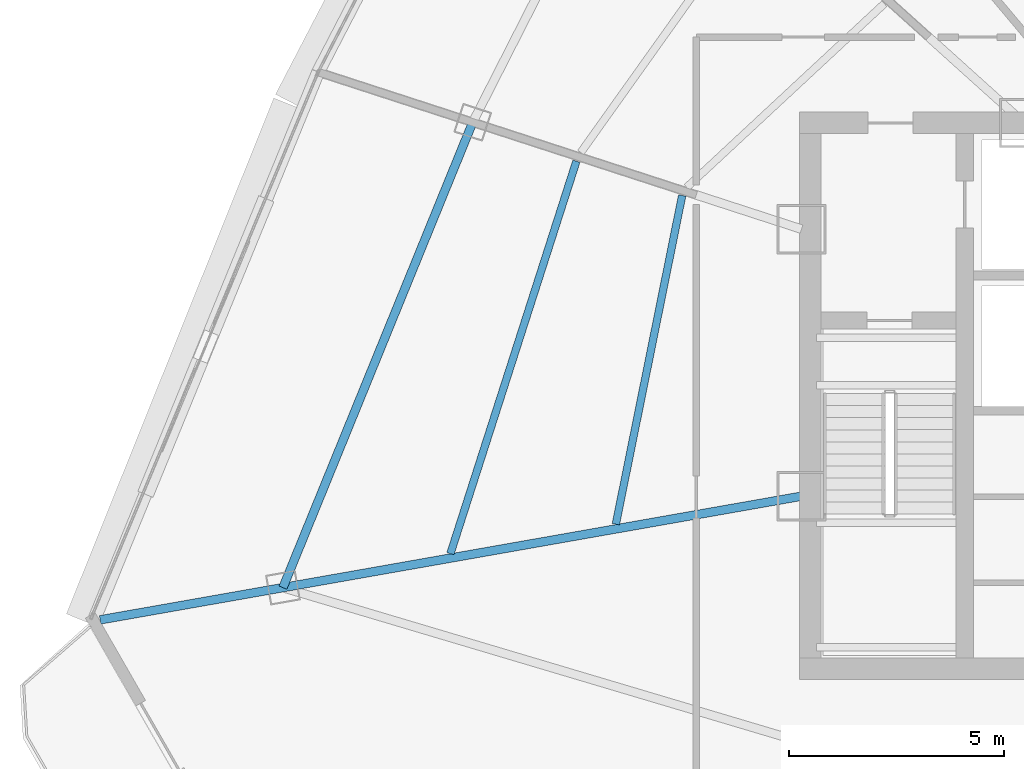
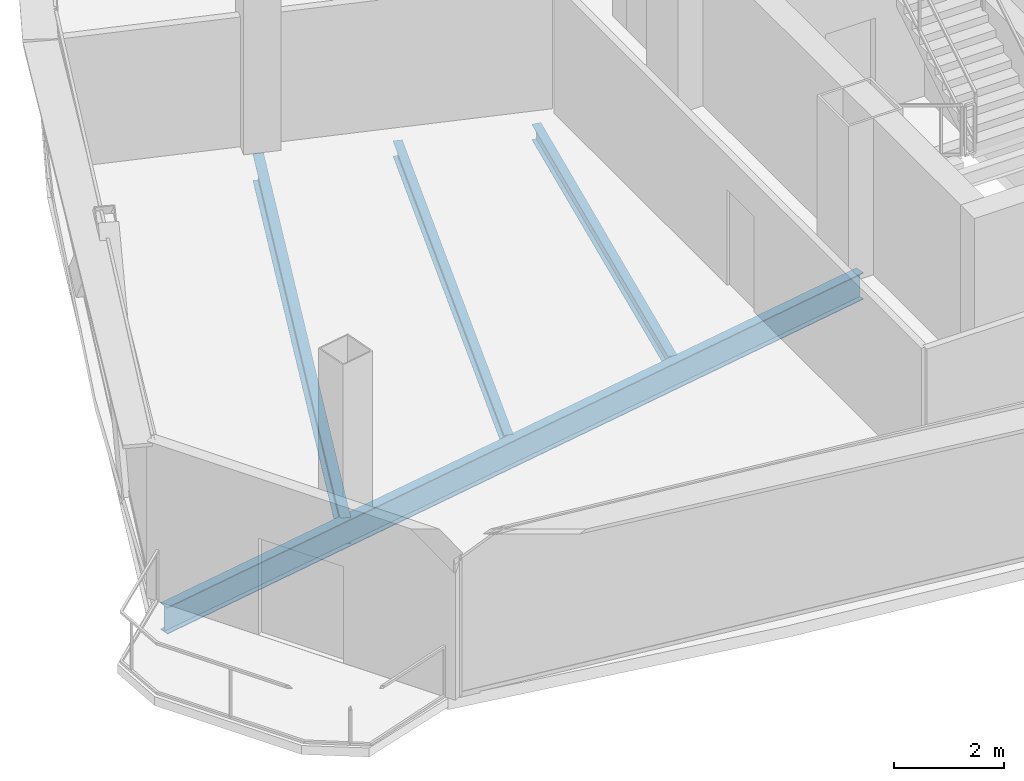
# One storey, part 5 of 33: 4 beams.
"""IFC4 building model written with IfcOpenShell, lengths in metres."""

from ifc_helpers import new_model, si_unit, direction, frame, origin, origin_2d, place, context, subcontext, project, spatial, i_section, extrude, source, transform, mapped, material, material_profile, profile_set, type_object, element, save


model = new_model("IFC4")

# Units and contexts
model_context = context("Model", 3, precision=1e-05, world=origin(), true_north=direction((0.0, 1.0)))
body_context = subcontext(model_context, "Body", "Model", "MODEL_VIEW")
ifc_project = project(units=[si_unit("LENGTHUNIT", "METRE"), si_unit("AREAUNIT", "SQUARE_METRE"), si_unit("VOLUMEUNIT", "CUBIC_METRE"), si_unit("PLANEANGLEUNIT", "RADIAN"), si_unit("MASSUNIT", "GRAM", prefix="KILO"), si_unit("THERMODYNAMICTEMPERATUREUNIT", "KELVIN"), si_unit("POWERUNIT", "WATT")], contexts=[model_context])

# Site, building, storey
site_placement = place(None, origin())
site = spatial("IfcSite", under=ifc_project, at=site_placement, CompositionType="ELEMENT")
building_placement = place(site_placement, origin())
building = spatial("IfcBuilding", under=site, at=building_placement, Name="Yunzhuo Pagoda Commons", CompositionType="ELEMENT")
storey_placement = place(building_placement, frame((0.0, 0.0, 325.510009765625)))
storey = spatial("IfcBuildingStorey", under=building, at=storey_placement, Name="L81", CompositionType="ELEMENT", Elevation=325.510009765625)

# Beams
ifc_material = material(Name="Structural steel Q355B", Category="steel")
ifc_material_profile_1 = material_profile(ifc_material, i_section(OverallWidth=0.199951171875, OverallDepth=0.60009765625, WebThickness=0.010986328125, FlangeThickness=0.01708984375, at=origin_2d()), Name="Structural steel Q355B")
ifc_profile_set_1 = profile_set([ifc_material_profile_1], Name="Structural steel Q355B")
beam_type_1 = type_object("IfcBeamType", Name="B-RG3 Beam HN 600x200x11x17", PredefinedType="BEAM", material=ifc_profile_set_1)
shared_shape_1 = source(origin(), body_context, "Body", "SweptSolid", [
    extrude(i_section(OverallWidth=0.199951171875, OverallDepth=0.60009765625, WebThickness=0.010986328125, FlangeThickness=0.01708984375, at=origin_2d()), origin(), (0.0, 0.0, 1.0), 11.696533203125),
])
beam_1_placement = place(storey_placement, frame((27.946533203125, 40.2158203125, -0.56005859375), z_axis=(-0.377611800863, -0.925963999219, 0.0), x_axis=(0.925963999219, -0.377611800863, 0.0)))
element("IfcBeam", 1, at=beam_1_placement, inside=storey, type_object=beam_type_1, Name="L81 column-ring beam 11", PredefinedType="BEAM", context=body_context, shape_type="MappedRepresentation", body=[
    mapped(shared_shape_1, transform((0.0, 0.0, 0.0), scale=1.0)),
])
shared_shape_2 = source(origin(), body_context, "Body", "SweptSolid", [
    extrude(i_section(OverallWidth=0.199951171875, OverallDepth=0.60009765625, WebThickness=0.010986328125, FlangeThickness=0.01708984375, at=origin_2d()), origin(), (0.0, 0.0, 1.0), 16.576416015625),
])
beam_2_placement = place(storey_placement, frame((19.275390625, 28.635009765625, -0.56005859375), z_axis=(0.984808457955, 0.173644179692, 0.0), x_axis=(-0.173644179692, 0.984808457955, 0.0)))
element("IfcBeam", 2, at=beam_2_placement, inside=storey, type_object=beam_type_1, Name="L81 radial floor girder F3C4", PredefinedType="BEAM", context=body_context, shape_type="MappedRepresentation", body=[
    mapped(shared_shape_2, transform((0.0, 0.0, 0.0), scale=1.0)),
])
ifc_material_profile_2 = material_profile(ifc_material, i_section(OverallWidth=0.175048828125, OverallDepth=0.35009765625, WebThickness=0.007080078125, FlangeThickness=0.010986328125, at=origin_2d()), Name="Structural steel Q355B")
ifc_profile_set_2 = profile_set([ifc_material_profile_2], Name="Structural steel Q355B")
beam_type_2 = type_object("IfcBeamType", Name="B-JS2 Joist HN 350x175x7x11", PredefinedType="JOIST", material=ifc_profile_set_2)
shared_shape_3 = source(origin(), body_context, "Body", "SweptSolid", [
    extrude(i_section(OverallWidth=0.175048828125, OverallDepth=0.35009765625, WebThickness=0.007080078125, FlangeThickness=0.010986328125, at=origin_2d()), origin(), (0.0, 0.0, 1.0), 7.8056640625),
])
beam_3_placement = place(storey_placement, frame((32.822265625, 38.511474609375, -0.43505859375), z_axis=(-0.197890187791, -0.980224195568, 0.0), x_axis=(0.980224195568, -0.197890187791, 0.0)))
element("IfcBeam", 3, at=beam_3_placement, inside=storey, type_object=beam_type_2, Name="L81 composite ring joist 1.11", PredefinedType="JOIST", context=body_context, shape_type="MappedRepresentation", body=[
    mapped(shared_shape_3, transform((0.0, 0.0, 0.0), scale=1.0)),
])
shared_shape_4 = source(origin(), body_context, "Body", "SweptSolid", [
    extrude(i_section(OverallWidth=0.175048828125, OverallDepth=0.35009765625, WebThickness=0.007080078125, FlangeThickness=0.010986328125, at=origin_2d()), origin(), (0.0, 0.0, 1.0), 9.593994140625),
])
beam_4_placement = place(storey_placement, frame((30.360595703125, 39.310546875, -0.43505859375), z_axis=(-0.305719218499, -0.952121714614, 0.0), x_axis=(0.952121714614, -0.305719218499, 0.0)))
element("IfcBeam", 4, at=beam_4_placement, inside=storey, type_object=beam_type_2, Name="L81 composite ring joist 2.11", PredefinedType="JOIST", context=body_context, shape_type="MappedRepresentation", body=[
    mapped(shared_shape_4, transform((0.0, 0.0, 0.0), scale=1.0)),
])

save(model, "model.ifc")
